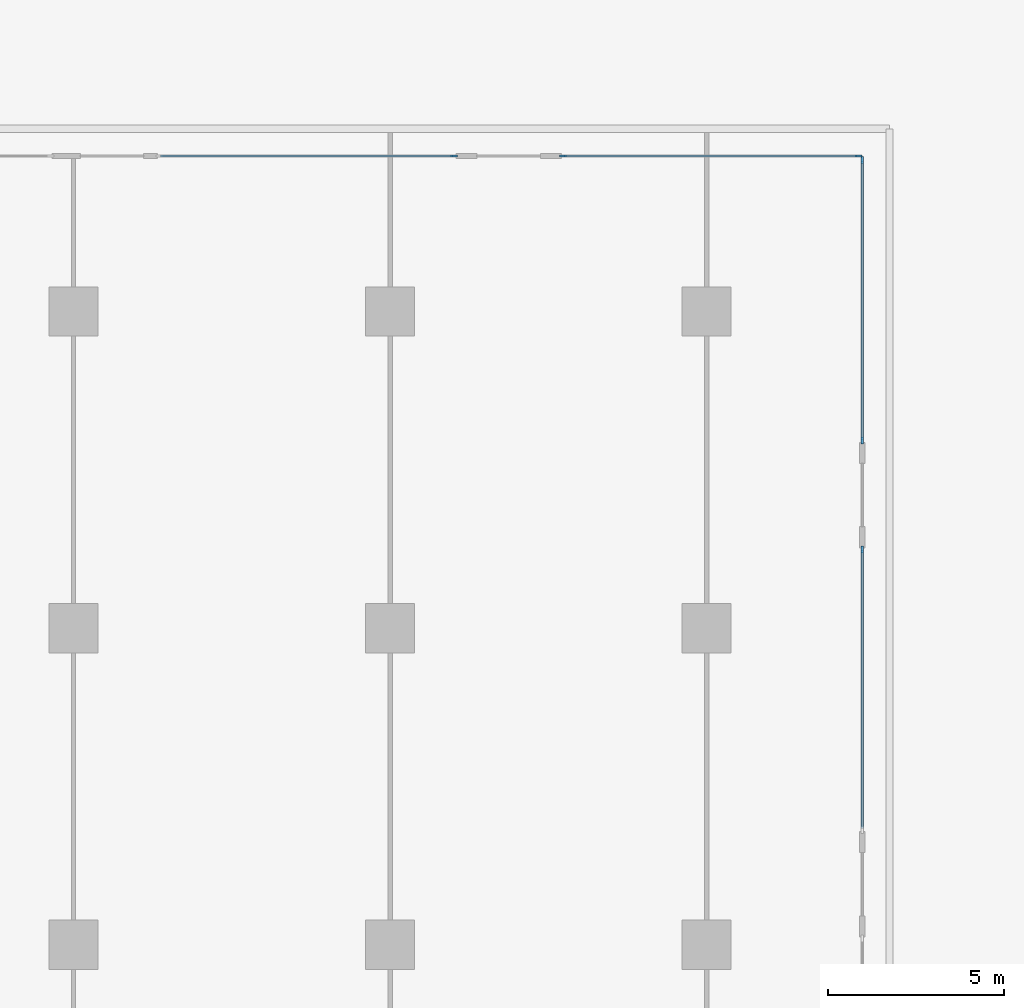
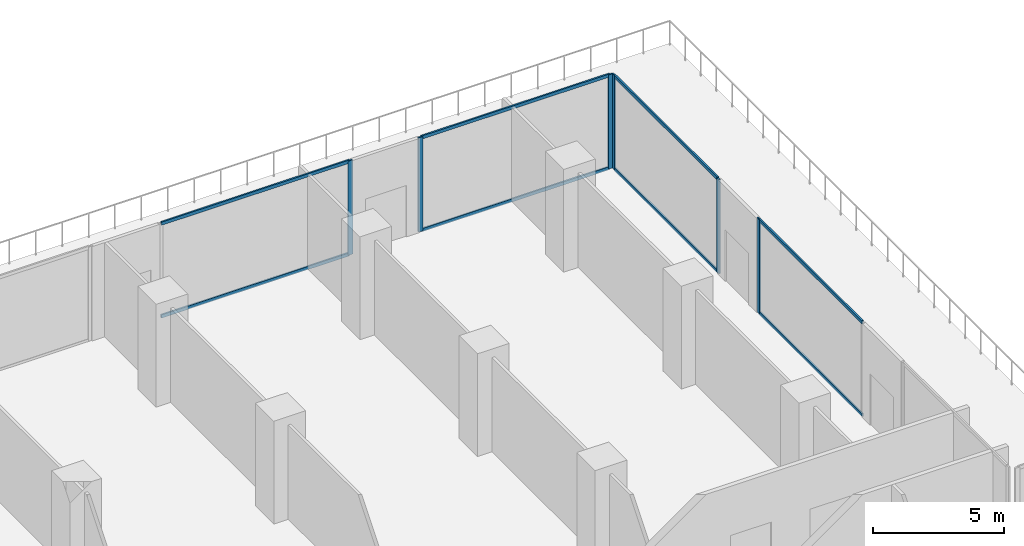
# One storey, part 11 of 31: 14 members, 4 elements without a shape of their own.
"""IFC4 building model written with IfcOpenShell, lengths in metres."""

from ifc_helpers import new_model, si_unit, direction, frame, origin, origin_2d, place, context, subcontext, project, spatial, rectangle, extrude, material, layer, layer_set, material_profile, profile_set, type_object, element, aggregate, save


model = new_model("IFC4")

# Units and contexts
model_context = context("Model", 3, precision=1e-05, world=origin(), true_north=direction((0.0, 1.0)))
body_context = subcontext(model_context, "Body", "Model", "MODEL_VIEW")
ifc_project = project(units=[si_unit("LENGTHUNIT", "METRE"), si_unit("AREAUNIT", "SQUARE_METRE"), si_unit("VOLUMEUNIT", "CUBIC_METRE"), si_unit("PLANEANGLEUNIT", "RADIAN"), si_unit("MASSUNIT", "GRAM", prefix="KILO")], contexts=[model_context])

# Site, building, storey
site_placement = place(None, origin())
site = spatial("IfcSite", under=ifc_project, at=site_placement, CompositionType="ELEMENT")
building_placement = place(site_placement, origin())
building = spatial("IfcBuilding", under=site, at=building_placement, Name="Chenar Terraces", CompositionType="ELEMENT")
storey_placement = place(building_placement, frame((0.0, 0.0, 7.199951171875)))
storey = spatial("IfcBuildingStorey", under=building, at=storey_placement, Name="L01", CompositionType="ELEMENT", Elevation=7.199951171875)

# Curtain wall, member
ifc_material_1 = material(Name="Aluminium framed glazing", Category="aluminium")
ifc_layer = layer(ifc_material_1, 0.14990234375)
ifc_layer_set = layer_set([ifc_layer], Name="Aluminium framed glazing")
curtain_wall_type = type_object("IfcCurtainWallType", Name="School curtain wall", PredefinedType="NOTDEFINED", material=ifc_layer_set)
placement = place(storey_placement, origin())
curtain_wall_1 = element("IfcCurtainWall", 1, at=placement, inside=storey, type_object=curtain_wall_type, Name="School curtain wall", PredefinedType="NOTDEFINED")
ifc_material_2 = material(Name="Aluminium", Category="aluminium")
ifc_material_profile_1 = material_profile(ifc_material_2, rectangle(XDim=0.070068359375, YDim=0.199951171875, at=origin_2d()), Name="School glazing mullion 70 x 200")
ifc_profile_set_1 = profile_set([ifc_material_profile_1], Name="Aluminium")
member_type_1 = type_object("IfcMemberType", Name="School glazing mullion 70 x 200", PredefinedType="MULLION", material=ifc_profile_set_1)
member_1_placement = place(storey_placement, frame((67.425048828125, 56.23583984375, 0.0), z_axis=(0.0, 0.0, 1.0), x_axis=(-1.0, 0.0, 0.0)))
member_1 = element("IfcMember", 2, at=member_1_placement, type_object=member_type_1, Name="CW2-11c1 mullion 2", PredefinedType="MULLION", context=body_context, shape_type="SweptSolid", body=[
    extrude(rectangle(XDim=0.070068359375, YDim=0.199951171875, at=origin_2d()), origin(), (0.0, 0.0, 1.0), 4.400146484375),
])

# Curtain wall, members
curtain_wall_2 = element("IfcCurtainWall", 3, at=placement, inside=storey, type_object=curtain_wall_type, Name="School curtain wall", PredefinedType="NOTDEFINED")
member_2_placement = place(storey_placement, frame((67.425048828125, 59.330810546875, 0.0), z_axis=(0.0, 0.0, 1.0), x_axis=(-1.0, 0.0, 0.0)))
member_2 = element("IfcMember", 4, at=member_2_placement, type_object=member_type_1, Name="CW2-11c2 mullion 1", PredefinedType="MULLION", context=body_context, shape_type="SweptSolid", body=[
    extrude(rectangle(XDim=0.070068359375, YDim=0.199951171875, at=origin_2d()), origin(), (0.0, 0.0, 1.0), 4.400146484375),
])
member_3_placement = place(storey_placement, frame((67.425048828125, 67.31494140625, 0.0), z_axis=(0.0, 0.0, 1.0), x_axis=(-1.0, 0.0, 0.0)))
member_3 = element("IfcMember", 5, at=member_3_placement, type_object=member_type_1, Name="CW2-11c2 mullion 2", PredefinedType="MULLION", context=body_context, shape_type="SweptSolid", body=[
    extrude(rectangle(XDim=0.070068359375, YDim=0.199951171875, at=origin_2d()), origin(), (0.0, 0.0, 1.0), 4.400146484375),
])

curtain_wall_3 = element("IfcCurtainWall", 6, at=placement, inside=storey, type_object=curtain_wall_type, Name="School curtain wall", PredefinedType="NOTDEFINED")
member_4_placement = place(storey_placement, frame((67.31494140625, 67.425048828125, 0.0), z_axis=(0.0, 0.0, 1.0), x_axis=(0.0, -1.0, 0.0)))
member_4 = element("IfcMember", 7, at=member_4_placement, type_object=member_type_1, Name="CW2-12c0 mullion 1", PredefinedType="MULLION", context=body_context, shape_type="SweptSolid", body=[
    extrude(rectangle(XDim=0.070068359375, YDim=0.199951171875, at=origin_2d()), origin(), (0.0, 0.0, 1.0), 4.400146484375),
])
member_5_placement = place(storey_placement, frame((58.918701171875, 67.425048828125, 0.0), z_axis=(0.0, 0.0, 1.0), x_axis=(0.0, -1.0, 0.0)))
member_5 = element("IfcMember", 8, at=member_5_placement, type_object=member_type_1, Name="CW2-12c0 mullion 2", PredefinedType="MULLION", context=body_context, shape_type="SweptSolid", body=[
    extrude(rectangle(XDim=0.070068359375, YDim=0.199951171875, at=origin_2d()), origin(), (0.0, 0.0, 1.0), 4.400146484375),
])

# Curtain wall, member
curtain_wall_4 = element("IfcCurtainWall", 9, at=placement, inside=storey, type_object=curtain_wall_type, Name="School curtain wall", PredefinedType="NOTDEFINED")
member_6_placement = place(storey_placement, frame((55.82373046875, 67.425048828125, 0.0), z_axis=(0.0, 0.0, 1.0), x_axis=(0.0, -1.0, 0.0)))
member_6 = element("IfcMember", 10, at=member_6_placement, type_object=member_type_1, Name="CW2-12c1 mullion 1", PredefinedType="MULLION", context=body_context, shape_type="SweptSolid", body=[
    extrude(rectangle(XDim=0.070068359375, YDim=0.199951171875, at=origin_2d()), origin(), (0.0, 0.0, 1.0), 4.400146484375),
])

# Member
ifc_material_3 = material(Name="Aluminium", Category="aluminium")
ifc_material_profile_2 = material_profile(ifc_material_3, rectangle(XDim=0.070068359375, YDim=0.14990234375, at=origin_2d()), Name="School glazing transom 70 x 150")
ifc_profile_set_2 = profile_set([ifc_material_profile_2], Name="Aluminium")
member_type_2 = type_object("IfcMemberType", Name="School glazing transom 70 x 150", PredefinedType="USERDEFINED", material=ifc_profile_set_2)
member_7_placement = place(storey_placement, frame((67.425048828125, 48.299072265625, 0.03515625), z_axis=(0.0, 1.0, 0.0), x_axis=(-1.0, 0.0, 0.0)))
member_7 = element("IfcMember", 11, at=member_7_placement, type_object=member_type_2, Name="CW2-11c1 transom 1.1", ObjectType="TRANSOM", PredefinedType="USERDEFINED", context=body_context, shape_type="SweptSolid", body=[
    extrude(rectangle(XDim=0.070068359375, YDim=0.14990234375, at=origin_2d()), origin(), (0.0, 0.0, 1.0), 7.90185546875),
])

member_8_placement = place(storey_placement, frame((67.425048828125, 48.299072265625, 4.364990234375), z_axis=(0.0, 1.0, 0.0), x_axis=(-1.0, 0.0, 0.0)))
member_8 = element("IfcMember", 12, at=member_8_placement, type_object=member_type_2, Name="CW2-11c1 transom 1.2", ObjectType="TRANSOM", PredefinedType="USERDEFINED", context=body_context, shape_type="SweptSolid", body=[
    extrude(rectangle(XDim=0.070068359375, YDim=0.14990234375, at=origin_2d()), origin(), (0.0, 0.0, 1.0), 7.90185546875),
])

aggregate(curtain_wall_1, [member_1, member_7, member_8])

member_9_placement = place(storey_placement, frame((67.425048828125, 59.36572265625, 0.03515625), z_axis=(0.0, 1.0, 0.0), x_axis=(-1.0, 0.0, 0.0)))
member_9 = element("IfcMember", 13, at=member_9_placement, type_object=member_type_2, Name="CW2-11c2 transom 1.1", ObjectType="TRANSOM", PredefinedType="USERDEFINED", context=body_context, shape_type="SweptSolid", body=[
    extrude(rectangle(XDim=0.070068359375, YDim=0.14990234375, at=origin_2d()), origin(), (0.0, 0.0, 1.0), 7.914306640625),
])

member_10_placement = place(storey_placement, frame((67.425048828125, 59.36572265625, 4.364990234375), z_axis=(0.0, 1.0, 0.0), x_axis=(-1.0, 0.0, 0.0)))
member_10 = element("IfcMember", 14, at=member_10_placement, type_object=member_type_2, Name="CW2-11c2 transom 1.2", ObjectType="TRANSOM", PredefinedType="USERDEFINED", context=body_context, shape_type="SweptSolid", body=[
    extrude(rectangle(XDim=0.070068359375, YDim=0.14990234375, at=origin_2d()), origin(), (0.0, 0.0, 1.0), 7.914306640625),
])

aggregate(curtain_wall_2, [member_2, member_3, member_9, member_10])

member_11_placement = place(storey_placement, frame((67.280029296875, 67.425048828125, 0.03515625), z_axis=(-1.0, 0.0, 0.0), x_axis=(0.0, -1.0, 0.0)))
member_11 = element("IfcMember", 15, at=member_11_placement, type_object=member_type_2, Name="CW2-12c0 transom 1.1", ObjectType="TRANSOM", PredefinedType="USERDEFINED", context=body_context, shape_type="SweptSolid", body=[
    extrude(rectangle(XDim=0.070068359375, YDim=0.14990234375, at=origin_2d()), origin(), (0.0, 0.0, 1.0), 8.326416015625),
])

member_12_placement = place(storey_placement, frame((67.280029296875, 67.425048828125, 4.364990234375), z_axis=(-1.0, 0.0, 0.0), x_axis=(0.0, -1.0, 0.0)))
member_12 = element("IfcMember", 16, at=member_12_placement, type_object=member_type_2, Name="CW2-12c0 transom 1.2", ObjectType="TRANSOM", PredefinedType="USERDEFINED", context=body_context, shape_type="SweptSolid", body=[
    extrude(rectangle(XDim=0.070068359375, YDim=0.14990234375, at=origin_2d()), origin(), (0.0, 0.0, 1.0), 8.326416015625),
])

aggregate(curtain_wall_3, [member_4, member_5, member_11, member_12])

member_13_placement = place(storey_placement, frame((55.78857421875, 67.425048828125, 0.03515625), z_axis=(-1.0, 0.0, 0.0), x_axis=(0.0, -1.0, 0.0)))
member_13 = element("IfcMember", 17, at=member_13_placement, type_object=member_type_2, Name="CW2-12c1 transom 1.1", ObjectType="TRANSOM", PredefinedType="USERDEFINED", context=body_context, shape_type="SweptSolid", body=[
    extrude(rectangle(XDim=0.070068359375, YDim=0.14990234375, at=origin_2d()), origin(), (0.0, 0.0, 1.0), 8.313720703125),
])

member_14_placement = place(storey_placement, frame((55.78857421875, 67.425048828125, 4.364990234375), z_axis=(-1.0, 0.0, 0.0), x_axis=(0.0, -1.0, 0.0)))
member_14 = element("IfcMember", 18, at=member_14_placement, type_object=member_type_2, Name="CW2-12c1 transom 1.2", ObjectType="TRANSOM", PredefinedType="USERDEFINED", context=body_context, shape_type="SweptSolid", body=[
    extrude(rectangle(XDim=0.070068359375, YDim=0.14990234375, at=origin_2d()), origin(), (0.0, 0.0, 1.0), 8.313720703125),
])

aggregate(curtain_wall_4, [member_6, member_13, member_14])

save(model, "model.ifc")
